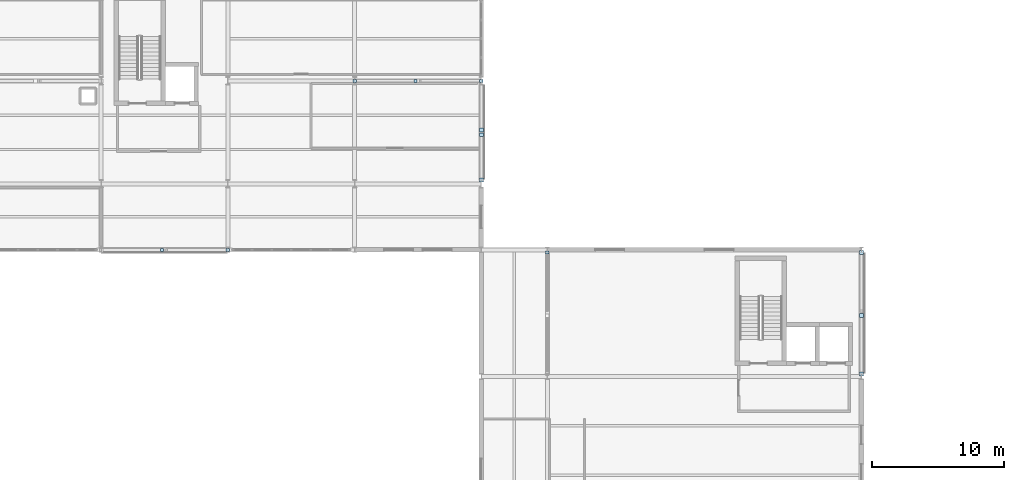
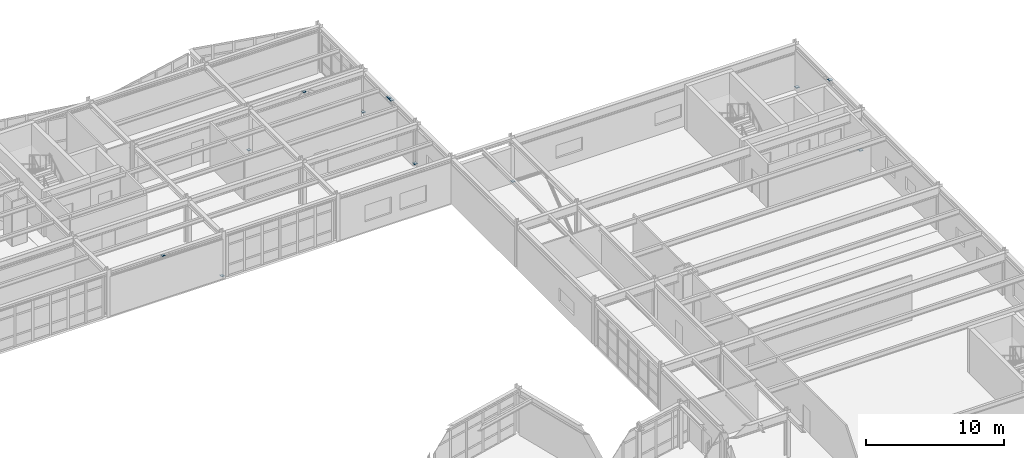
# One storey, part 76 of 99: 12 plates.
"""IFC4 building model written with IfcOpenShell, lengths in metres."""

from ifc_helpers import new_model, si_unit, direction, frame, origin, origin_2d, place, context, subcontext, project, spatial, rectangle, extrude, material, layer, layer_set, type_object, element, save


model = new_model("IFC4")

# Units and contexts
model_context = context("Model", 3, precision=1e-05, world=origin(), true_north=direction((0.0, 1.0)))
body_context = subcontext(model_context, "Body", "Model", "MODEL_VIEW")
ifc_project = project(units=[si_unit("LENGTHUNIT", "METRE"), si_unit("AREAUNIT", "SQUARE_METRE"), si_unit("VOLUMEUNIT", "CUBIC_METRE"), si_unit("PLANEANGLEUNIT", "RADIAN"), si_unit("MASSUNIT", "GRAM", prefix="KILO")], contexts=[model_context])

# Site, building, storey
site_placement = place(None, origin())
site = spatial("IfcSite", under=ifc_project, at=site_placement, CompositionType="ELEMENT")
building_placement = place(site_placement, origin())
building = spatial("IfcBuilding", under=site, at=building_placement, Name="Nordkorset Police Headquarters", CompositionType="ELEMENT")
storey_placement = place(building_placement, frame((0.0, 0.0, 5.25)))
storey = spatial("IfcBuildingStorey", under=building, at=storey_placement, Name="L01", CompositionType="ELEMENT", Elevation=5.25)

# Plates
ifc_material = material(Name="Steel S355J2", Category="steel")
ifc_layer = layer(ifc_material, 0.02001953125, Name="Steel S355J2")
ifc_layer_set = layer_set([ifc_layer], Name="Steel S355J2")
plate_type = type_object("IfcPlateType", Name="SteelPlate_20mm", PredefinedType="SHEET", material=ifc_layer_set)
for number, where, z_axis, x_axis, name in (
    (1, (76.8076171875, 110.39990234375, 0.18994140625), (0.0, 0.0, 1.0), (1.0, 0.0, 0.0), "Hollow Section End Cap Plate BF-V2-B-L01-D1-0"),
    (2, (81.419921875, 110.39990234375, 3.72998046875), (0.0, 0.0, 1.0), (1.0, 0.0, 0.0), "Hollow Section End Cap Plate BF-V2-B-L01-D1-1"),
    (3, (86.392333984375, 110.39990234375, 0.18994140625), (0.0, 0.0, 1.0), (1.0, 0.0, 0.0), "Hollow Section End Cap Plate BF-V2-B-L01-D2-0"),
):
    element("IfcPlate", number, at=place(storey_placement, frame(where, z_axis=z_axis, x_axis=x_axis)), inside=storey, type_object=plate_type, Name=name, PredefinedType="SHEET", context=body_context, shape_type="SweptSolid", body=[
        extrude(rectangle(XDim=0.239990234375, YDim=0.239990234375, at=origin_2d()), origin(), (0.0, 0.0, 1.0), 0.02001953125),
    ])
plate_placement = place(storey_placement, frame((91.39990234375, 97.39990234375, 0.18994140625), z_axis=(0.0, 0.0, 1.0), x_axis=(1.0, 0.0, 0.0)))
element("IfcPlate", 4, at=plate_placement, inside=storey, type_object=plate_type, Name="Hollow Section End Cap Plate BF-V5-A-L01-D2-0", PredefinedType="SHEET", context=body_context, shape_type="SweptSolid", body=[
    extrude(rectangle(XDim=0.259033203125, YDim=0.259033203125, at=origin_2d()), origin(), (0.0, 0.0, 1.0), 0.02001953125),
])
for number, where, z_axis, x_axis, name in (
    (5, (86.39990234375, 102.89990234375, 0.18994140625), (0.0, 0.0, 1.0), (1.0, 0.0, 0.0), "Hollow Section End Cap Plate BF-EXT-V2E-L01-D1-0"),
    (6, (86.39990234375, 106.320068359375, 3.72998046875), (0.0, 0.0, 1.0), (1.0, 0.0, 0.0), "Hollow Section End Cap Plate BF-EXT-V2E-L01-D1-1"),
    (7, (86.39990234375, 106.679931640625, 3.72998046875), (0.0, 0.0, 1.0), (1.0, 0.0, 0.0), "Hollow Section End Cap Plate BF-EXT-V2E-L01-D2-1"),
):
    element("IfcPlate", number, at=place(storey_placement, frame(where, z_axis=z_axis, x_axis=x_axis)), inside=storey, type_object=plate_type, Name=name, PredefinedType="SHEET", context=body_context, shape_type="SweptSolid", body=[
        extrude(rectangle(XDim=0.2900390625, YDim=0.2900390625, at=origin_2d()), origin(), (0.0, 0.0, 1.0), 0.02001953125),
    ])
for number, where, z_axis, x_axis, name in (
    (8, (62.219970703125, 97.60009765625, 3.72998046875), (0.0, 0.0, 1.0), (1.0, 0.0, 0.0), "Hollow Section End Cap Plate BF-EXT-V2S-L01-D1-1"),
    (9, (67.193359375, 97.60009765625, 0.18994140625), (0.0, 0.0, 1.0), (1.0, 0.0, 0.0), "Hollow Section End Cap Plate BF-EXT-V2S-L01-D2-0"),
):
    element("IfcPlate", number, at=place(storey_placement, frame(where, z_axis=z_axis, x_axis=x_axis)), inside=storey, type_object=plate_type, Name=name, PredefinedType="SHEET", context=body_context, shape_type="SweptSolid", body=[
        extrude(rectangle(XDim=0.239990234375, YDim=0.239990234375, at=origin_2d()), origin(), (0.0, 0.0, 1.0), 0.02001953125),
    ])
for number, where, z_axis, x_axis, name in (
    (10, (115.199951171875, 88.199951171875, 0.18994140625), (0.0, 0.0, 1.0), (1.0, 0.0, 0.0), "Hollow Section End Cap Plate BF-EXT-V5E4-L01-D1-0"),
    (11, (115.199951171875, 92.6201171875, 3.72998046875), (0.0, 0.0, 1.0), (1.0, 0.0, 0.0), "Hollow Section End Cap Plate BF-EXT-V5E4-L01-D1-1"),
    (12, (115.199951171875, 97.39990234375, 0.18994140625), (0.0, 0.0, 1.0), (1.0, 0.0, 0.0), "Hollow Section End Cap Plate BF-EXT-V5E4-L01-D2-0"),
):
    element("IfcPlate", number, at=place(storey_placement, frame(where, z_axis=z_axis, x_axis=x_axis)), inside=storey, type_object=plate_type, Name=name, PredefinedType="SHEET", context=body_context, shape_type="SweptSolid", body=[
        extrude(rectangle(XDim=0.2900390625, YDim=0.2900390625, at=origin_2d()), origin(), (0.0, 0.0, 1.0), 0.02001953125),
    ])

save(model, "model.ifc")
